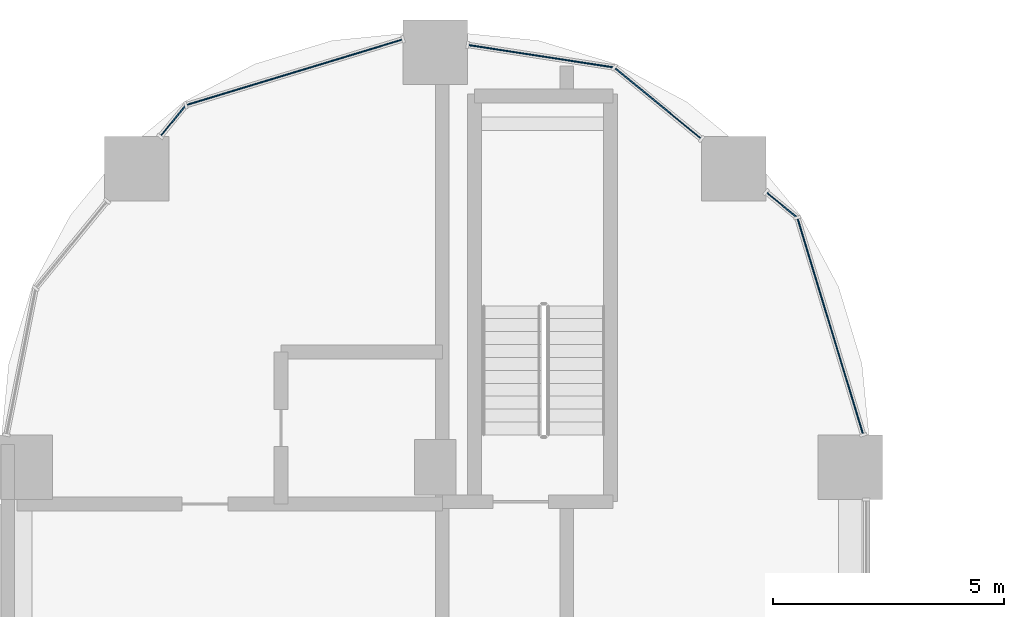
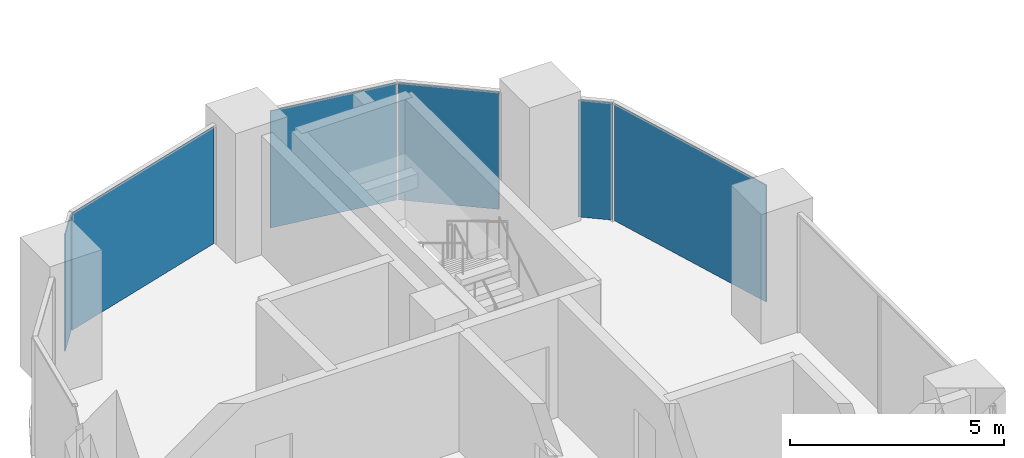
# One storey, part 14 of 31: 6 plates, 3 elements without a shape of their own.
"""IFC4 building model written with IfcOpenShell, lengths in metres."""

from ifc_helpers import new_model, si_unit, direction, frame, origin, origin_2d, place, context, subcontext, project, spatial, rectangle, extrude, material, layer, layer_set, type_object, element, aggregate, save


model = new_model("IFC4")

# Units and contexts
model_context = context("Model", 3, precision=1e-05, world=origin(), true_north=direction((0.0, 1.0)))
body_context = subcontext(model_context, "Body", "Model", "MODEL_VIEW")
ifc_project = project(units=[si_unit("LENGTHUNIT", "METRE"), si_unit("AREAUNIT", "SQUARE_METRE"), si_unit("VOLUMEUNIT", "CUBIC_METRE"), si_unit("PLANEANGLEUNIT", "RADIAN"), si_unit("MASSUNIT", "GRAM", prefix="KILO")], contexts=[model_context])

# Site, building, storey
site_placement = place(None, origin())
site = spatial("IfcSite", under=ifc_project, at=site_placement, CompositionType="ELEMENT")
building_placement = place(site_placement, origin())
building = spatial("IfcBuilding", under=site, at=building_placement, Name="Ogive Portal Towers", CompositionType="ELEMENT")
storey_placement = place(building_placement, frame((0.0, 0.0, 40.89990234375)))
storey = spatial("IfcBuildingStorey", under=building, at=storey_placement, Name="L08", CompositionType="ELEMENT", Elevation=40.89990234375)

# Curtain wall, plates
ifc_material = material(Name="Glass, clear low-iron insulated glazing", Category="glass")
curtain_wall_type = type_object("IfcCurtainWallType", Name="CW FRONT RIBBON 4500", PredefinedType="NOTDEFINED", material=ifc_material)
curtain_wall_1_placement = place(storey_placement, origin())
curtain_wall_1 = element("IfcCurtainWall", 1, at=curtain_wall_1_placement, inside=storey, type_object=curtain_wall_type, Name="A:L08:f07:cwa~0", PredefinedType="NOTDEFINED")
ifc_layer = layer(ifc_material, 0.028076171875)
ifc_layer_set = layer_set([ifc_layer], Name="CW PANEL IGU 28")
plate_type = type_object("IfcPlateType", Name="CW PANEL IGU 28", PredefinedType="CURTAIN_PANEL", material=ifc_layer_set)
plate_1_placement = place(storey_placement, frame((49.066162109375, 69.555908203125, 0.0), z_axis=(0.0, 0.0, 1.0), x_axis=(-0.290284677254, 0.956940335732, 0.0)))
plate_1 = element("IfcPlate", 2, at=plate_1_placement, type_object=plate_type, Name="panel", PredefinedType="CURTAIN_PANEL", context=body_context, shape_type="SweptSolid", body=[
    extrude(rectangle(XDim=4.864013671875, YDim=0.028076171875, at=origin_2d()), origin(), (0.0, 0.0, 1.0), 3.340087890625),
])
plate_2_placement = place(storey_placement, frame((48.01220703125, 72.1904296875, 0.0), z_axis=(0.0, 0.0, 1.0), x_axis=(-0.773010453363, 0.634393284164, 0.0)))
plate_2 = element("IfcPlate", 3, at=plate_2_placement, type_object=plate_type, Name="panel", PredefinedType="CURTAIN_PANEL", context=body_context, shape_type="SweptSolid", body=[
    extrude(rectangle(XDim=0.817626953125, YDim=0.028076171875, at=origin_2d()), origin(), (0.0, 0.0, 1.0), 3.340087890625),
])
aggregate(curtain_wall_1, [plate_1, plate_2])

curtain_wall_2_placement = place(storey_placement, origin())
curtain_wall_2 = element("IfcCurtainWall", 4, at=curtain_wall_2_placement, inside=storey, type_object=curtain_wall_type, Name="A:L08:f07:cwa~1", PredefinedType="NOTDEFINED")
plate_3_placement = place(storey_placement, frame((45.327392578125, 74.393798828125, 0.0), z_axis=(0.0, 0.0, 1.0), x_axis=(-0.773010453363, 0.634393284164, 0.0)))
plate_3 = element("IfcPlate", 5, at=plate_3_placement, type_object=plate_type, Name="panel", PredefinedType="CURTAIN_PANEL", context=body_context, shape_type="SweptSolid", body=[
    extrude(rectangle(XDim=2.38671875, YDim=0.028076171875, at=origin_2d()), origin(), (0.0, 0.0, 1.0), 3.340087890625),
])
plate_4_placement = place(storey_placement, frame((42.790771484375, 75.41455078125, 0.0), z_axis=(0.0, 0.0, 1.0), x_axis=(-0.988369166731, 0.15207363432, 0.0)))
plate_4 = element("IfcPlate", 6, at=plate_4_placement, type_object=plate_type, Name="panel", PredefinedType="CURTAIN_PANEL", context=body_context, shape_type="SweptSolid", body=[
    extrude(rectangle(XDim=3.1591796875, YDim=0.028076171875, at=origin_2d()), origin(), (0.0, 0.0, 1.0), 3.340087890625),
])
aggregate(curtain_wall_2, [plate_3, plate_4])

curtain_wall_3_placement = place(storey_placement, origin())
curtain_wall_3 = element("IfcCurtainWall", 7, at=curtain_wall_3_placement, inside=storey, type_object=curtain_wall_type, Name="A:L08:f07:cwa~2", PredefinedType="NOTDEFINED")
plate_5_placement = place(storey_placement, frame((37.444091796875, 75.066162109375, 0.0), z_axis=(0.0, 0.0, 1.0), x_axis=(-0.956940335732, -0.290284677254, 0.0)))
plate_5 = element("IfcPlate", 8, at=plate_5_placement, type_object=plate_type, Name="panel", PredefinedType="CURTAIN_PANEL", context=body_context, shape_type="SweptSolid", body=[
    extrude(rectangle(XDim=4.864013671875, YDim=0.028076171875, at=origin_2d()), origin(), (0.0, 0.0, 1.0), 3.340087890625),
])
plate_6_placement = place(storey_placement, frame((34.8095703125, 74.01220703125, 0.0), z_axis=(0.0, 0.0, 1.0), x_axis=(-0.634393284164, -0.773010453363, 0.0)))
plate_6 = element("IfcPlate", 9, at=plate_6_placement, type_object=plate_type, Name="panel", PredefinedType="CURTAIN_PANEL", context=body_context, shape_type="SweptSolid", body=[
    extrude(rectangle(XDim=0.817626953125, YDim=0.028076171875, at=origin_2d()), origin(), (0.0, 0.0, 1.0), 3.340087890625),
])
aggregate(curtain_wall_3, [plate_5, plate_6])

save(model, "model.ifc")
